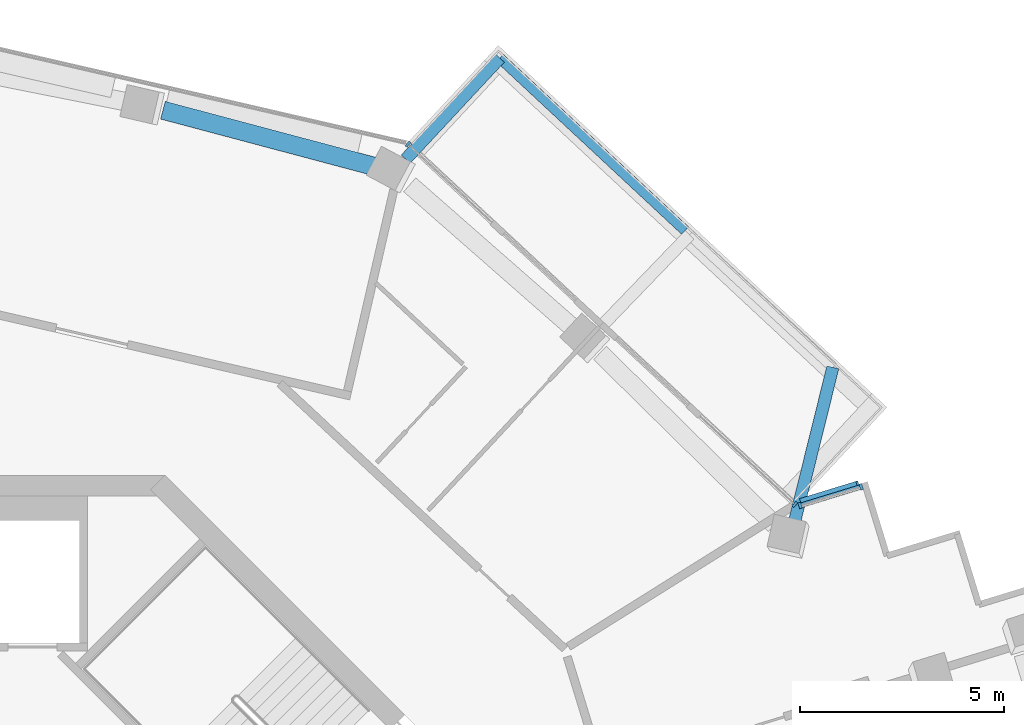
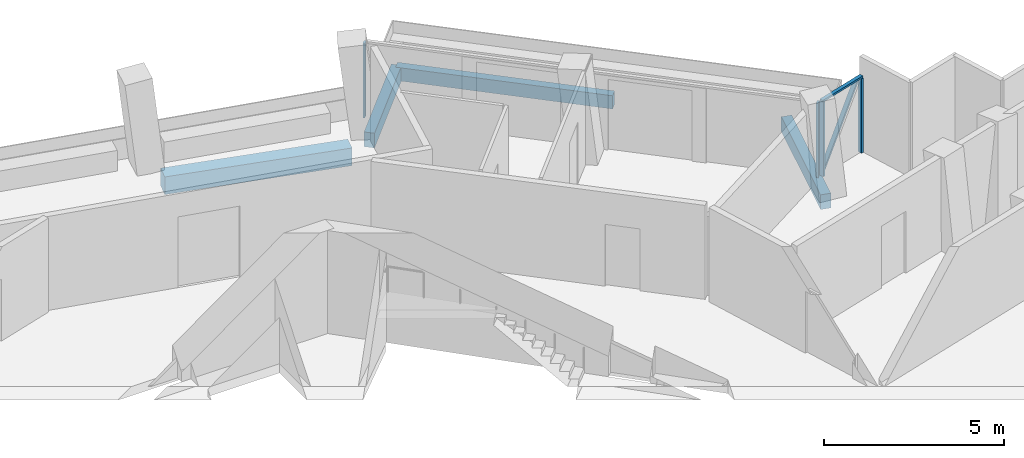
# One storey, part 9 of 21: 6 members, 4 beams, 2 elements without a shape of their own.
"""IFC4 building model written with IfcOpenShell, lengths in metres."""

from ifc_helpers import new_model, si_unit, direction, frame, origin, origin_2d, place, context, subcontext, project, spatial, rectangle, extrude, material, layer, layer_set, material_profile, profile_set, type_object, element, aggregate, save


model = new_model("IFC4")

# Units and contexts
model_context = context("Model", 3, precision=1e-05, world=origin(), true_north=direction((0.0, 1.0)))
body_context = subcontext(model_context, "Body", "Model", "MODEL_VIEW")
ifc_project = project(units=[si_unit("LENGTHUNIT", "METRE"), si_unit("AREAUNIT", "SQUARE_METRE"), si_unit("VOLUMEUNIT", "CUBIC_METRE"), si_unit("PLANEANGLEUNIT", "RADIAN"), si_unit("MASSUNIT", "GRAM", prefix="KILO")], contexts=[model_context])

# Site, building, storey
site_placement = place(None, origin())
site = spatial("IfcSite", under=ifc_project, at=site_placement, CompositionType="ELEMENT")
building_placement = place(site_placement, origin())
building = spatial("IfcBuilding", under=site, at=building_placement, Name="Verdalira Terraces Hotel", CompositionType="ELEMENT")
storey_placement = place(building_placement, frame((0.0, 0.0, 227.0)))
storey = spatial("IfcBuildingStorey", under=building, at=storey_placement, Name="L55", CompositionType="ELEMENT", Elevation=227.0)

# Beams
ifc_material_1 = material(Name="Concrete C40", Category="concrete")
ifc_material_profile_1 = material_profile(ifc_material_1, rectangle(XDim=0.300049, YDim=0.5, at=origin_2d()), Name="RC 300X500")
ifc_profile_set_1 = profile_set([ifc_material_profile_1], Name="Concrete C40")
beam_type_1 = type_object("IfcBeamType", Name="Balcony cantilever beam RC 300X500 C40", PredefinedType="BEAM", material=ifc_profile_set_1)
beam_1_placement = place(storey_placement, frame((21.195557, 12.811768, -0.560059), z_axis=(0.240615491, 0.970620516, 0.0), x_axis=(-0.970620516, 0.240615491, 0.0)))
element("IfcBeam", 1, at=beam_1_placement, inside=storey, type_object=beam_type_1, Name="Balcony cantilever beam R39-1", PredefinedType="BEAM", context=body_context, shape_type="SweptSolid", body=[
    extrude(rectangle(XDim=0.300049, YDim=0.5, at=origin_2d()), origin(), (0.0, 0.0, 1.0), 3.949951),
])
beam_2_placement = place(storey_placement, frame((11.689697, 21.740723, -0.560059), z_axis=(0.681497208, 0.731820712, 0.0), x_axis=(-0.731820712, 0.681497208, 0.0)))
element("IfcBeam", 2, at=beam_2_placement, inside=storey, type_object=beam_type_1, Name="Balcony cantilever beam R39-3", PredefinedType="BEAM", context=body_context, shape_type="SweptSolid", body=[
    extrude(rectangle(XDim=0.300049, YDim=0.5, at=origin_2d()), origin(), (0.0, 0.0, 1.0), 3.381348),
])
ifc_material_2 = material(Name="Concrete C40", Category="concrete")
ifc_material_profile_2 = material_profile(ifc_material_2, rectangle(XDim=0.25, YDim=0.449951, at=origin_2d()), Name="RC 250X450")
ifc_profile_set_2 = profile_set([ifc_material_profile_2], Name="Concrete C40")
beam_type_2 = type_object("IfcBeamType", Name="Balcony edge beam RC 250X450 C40", PredefinedType="BEAM", material=ifc_profile_set_2)
beam_3_placement = place(storey_placement, frame((18.528564, 19.99292, -0.534912), z_axis=(-0.73183705, 0.681479663, 0.0), x_axis=(-0.681479663, -0.73183705, 0.0)))
element("IfcBeam", 3, at=beam_3_placement, inside=storey, type_object=beam_type_2, Name="Balcony edge beam R39-2", PredefinedType="BEAM", context=body_context, shape_type="SweptSolid", body=[
    extrude(rectangle(XDim=0.25, YDim=0.449951, at=origin_2d()), origin(), (0.0, 0.0, 1.0), 6.196045),
])

# Curtain wall, members
ifc_material_3 = material(Name="Clear glass", Category="glass")
ifc_layer_1 = layer(ifc_material_3, 0.14990234375)
ifc_layer_set_1 = layer_set([ifc_layer_1], Name="CW1 curtain wall")
curtain_wall_type_1 = type_object("IfcCurtainWallType", Name="CW1 curtain wall", PredefinedType="NOTDEFINED", material=ifc_layer_set_1)
curtain_wall_1_placement = place(storey_placement, origin())
curtain_wall_1 = element("IfcCurtainWall", 4, at=curtain_wall_1_placement, inside=storey, type_object=curtain_wall_type_1, Name="CW1 curtain wall L55 edge 39", PredefinedType="NOTDEFINED")
ifc_material_4 = material(Name="Terracotta frame", Category="masonry")
ifc_material_profile_3 = material_profile(ifc_material_4, rectangle(XDim=0.060059, YDim=0.149902, at=origin_2d()), Name="MU 60x150")
ifc_profile_set_3 = profile_set([ifc_material_profile_3], Name="Terracotta frame")
member_type_1 = type_object("IfcMemberType", Name="CW1 mullion 60x150", PredefinedType="MULLION", material=ifc_profile_set_3)
member_1_placement = place(storey_placement, frame((21.215576, 13.288818, 0.0), z_axis=(0.0, 0.0, 1.0), x_axis=(-0.731829648, 0.681487613, 0.0)))
member_1 = element("IfcMember", 5, at=member_1_placement, type_object=member_type_1, Name="CW1 mullion", PredefinedType="MULLION", context=body_context, shape_type="SweptSolid", body=[
    extrude(rectangle(XDim=0.060059, YDim=0.149902, at=origin_2d()), origin(), (0.0, 0.0, 1.0), 2.524902),
])
member_2_placement = place(storey_placement, frame((11.745605, 22.107422, 0.0), z_axis=(0.0, 0.0, 1.0), x_axis=(-0.731829648, 0.681487613, 0.0)))
member_2 = element("IfcMember", 6, at=member_2_placement, type_object=member_type_1, Name="CW1 mullion", PredefinedType="MULLION", context=body_context, shape_type="SweptSolid", body=[
    extrude(rectangle(XDim=0.060059, YDim=0.149902, at=origin_2d()), origin(), (0.0, 0.0, 1.0), 2.524902),
])
aggregate(curtain_wall_1, [member_1, member_2])

ifc_material_5 = material(Name="Clear glass", Category="glass")
ifc_layer_2 = layer(ifc_material_5, 0.14990234375)
ifc_layer_set_2 = layer_set([ifc_layer_2], Name="CW2 curtain wall")
curtain_wall_type_2 = type_object("IfcCurtainWallType", Name="CW2 curtain wall", PredefinedType="NOTDEFINED", material=ifc_layer_set_2)
curtain_wall_2_placement = place(storey_placement, origin())
curtain_wall_2 = element("IfcCurtainWall", 7, at=curtain_wall_2_placement, inside=storey, type_object=curtain_wall_type_2, Name="CW2 curtain wall L55 edge 38", PredefinedType="NOTDEFINED")
ifc_material_6 = material(Name="Terracotta frame", Category="masonry")
ifc_material_profile_4 = material_profile(ifc_material_6, rectangle(XDim=0.070068, YDim=0.149902, at=origin_2d()), Name="MU 70x150")
ifc_profile_set_4 = profile_set([ifc_material_profile_4], Name="Terracotta frame")
member_type_2 = type_object("IfcMemberType", Name="CW2 mullion 70x150", PredefinedType="MULLION", material=ifc_profile_set_4)
member_3_placement = place(storey_placement, frame((22.838867, 13.719971, 0.0), z_axis=(0.0, 0.0, 1.0), x_axis=(-0.956100409, -0.29303926, 0.0)))
member_3 = element("IfcMember", 8, at=member_3_placement, type_object=member_type_2, Name="CW2 mullion", PredefinedType="MULLION", context=body_context, shape_type="SweptSolid", body=[
    extrude(rectangle(XDim=0.070068, YDim=0.149902, at=origin_2d()), origin(), (0.0, 0.0, 1.0), 2.524902),
])
member_4_placement = place(storey_placement, frame((21.343994, 13.261963, 0.0), z_axis=(0.0, 0.0, 1.0), x_axis=(-0.956100409, -0.29303926, 0.0)))
member_4 = element("IfcMember", 9, at=member_4_placement, type_object=member_type_2, Name="CW2 mullion", PredefinedType="MULLION", context=body_context, shape_type="SweptSolid", body=[
    extrude(rectangle(XDim=0.070068, YDim=0.149902, at=origin_2d()), origin(), (0.0, 0.0, 1.0), 2.524902),
])
ifc_material_7 = material(Name="Terracotta frame", Category="masonry")
ifc_material_profile_5 = material_profile(ifc_material_7, rectangle(XDim=0.11499, YDim=0.064941, at=origin_2d()), Name="TR 65x115")
ifc_profile_set_5 = profile_set([ifc_material_profile_5], Name="Terracotta frame")
member_type_3 = type_object("IfcMemberType", Name="CW2 transom 65x115", PredefinedType="USERDEFINED", material=ifc_profile_set_5)
member_5_placement = place(storey_placement, frame((22.872314, 13.730225, 2.557617), z_axis=(-0.956127357, -0.292951324, 0.0), x_axis=(0.292951324, -0.956127357, 0.0)))
member_5 = element("IfcMember", 10, at=member_5_placement, type_object=member_type_3, Name="CW2 transom", ObjectType="TRANSOM", PredefinedType="USERDEFINED", context=body_context, shape_type="SweptSolid", body=[
    extrude(rectangle(XDim=0.11499, YDim=0.064941, at=origin_2d()), origin(), (0.0, 0.0, 1.0), 1.633545),
])
ifc_material_8 = material(Name="Terracotta frame", Category="masonry")
ifc_material_profile_6 = material_profile(ifc_material_8, rectangle(XDim=0.149902, YDim=0.060059, at=origin_2d()), Name="GB 60x150")
ifc_profile_set_6 = profile_set([ifc_material_profile_6], Name="Terracotta frame")
member_type_4 = type_object("IfcMemberType", Name="Diagonal glazing bar 60x150", PredefinedType="USERDEFINED", material=ifc_profile_set_6)
member_6_placement = place(storey_placement, frame((22.753174, 13.788818, 2.479736), z_axis=(-0.486762945, -0.149162328, -0.860704615), x_axis=(0.292989511, -0.956115655, 0.0)))
member_6 = element("IfcMember", 11, at=member_6_placement, type_object=member_type_4, Name="Diagonal glazing bar", ObjectType="GLAZING BAR", PredefinedType="USERDEFINED", context=body_context, shape_type="SweptSolid", body=[
    extrude(rectangle(XDim=0.149902, YDim=0.060059, at=origin_2d()), origin(), (0.0, 0.0, 1.0), 2.828369),
])
aggregate(curtain_wall_2, [member_3, member_4, member_5, member_6])

# Beam
ifc_material_9 = material(Name="Concrete C40", Category="concrete")
ifc_material_profile_7 = material_profile(ifc_material_9, rectangle(XDim=0.449951, YDim=0.600098, at=origin_2d()), Name="RC 450X600")
ifc_profile_set_7 = profile_set([ifc_material_profile_7], Name="Concrete C40")
beam_type_3 = type_object("IfcBeamType", Name="Spandrel beam RC 450X600 C40", PredefinedType="SPANDREL", material=ifc_profile_set_7)
beam_4_placement = place(storey_placement, frame((10.961426, 21.552002, -0.610107), z_axis=(-0.966375952, 0.25713327, 0.0), x_axis=(-0.25713327, -0.966375952, 0.0)))
element("IfcBeam", 12, at=beam_4_placement, inside=storey, type_object=beam_type_3, Name="Spandrel beam B20", PredefinedType="SPANDREL", context=body_context, shape_type="SweptSolid", body=[
    extrude(rectangle(XDim=0.449951, YDim=0.600098, at=origin_2d()), origin(), (0.0, 0.0, 1.0), 5.396729),
])

save(model, "model.ifc")
